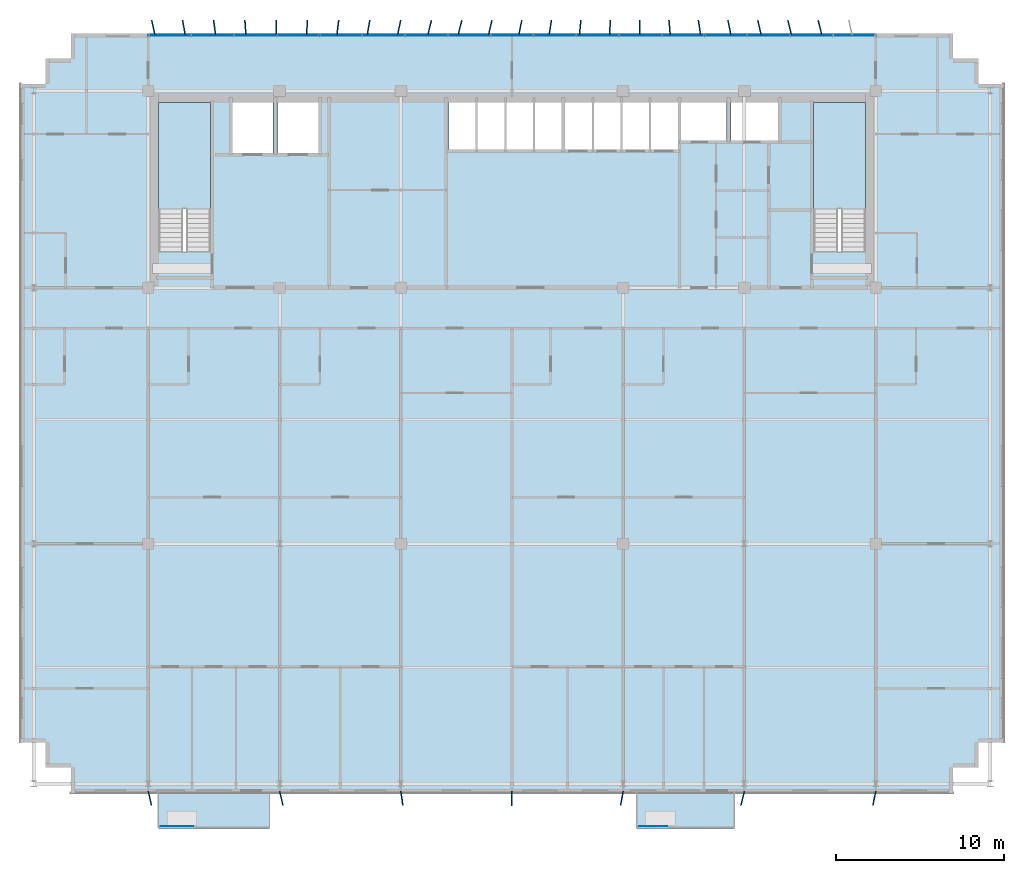
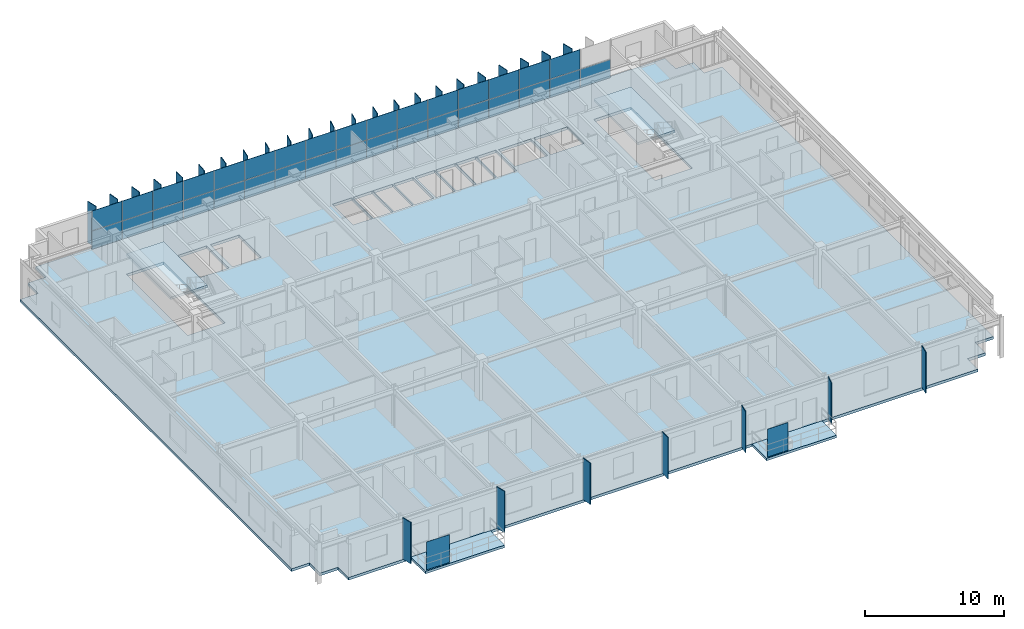
# One storey, part 15 of 23: 65 plates, 5 slabs, 3 elements without a shape of their own.
"""IFC4 building model written with IfcOpenShell, lengths in metres."""

from ifc_helpers import new_model, si_unit, direction, frame, origin, origin_2d, place, context, subcontext, project, spatial, polyline, rectangle, outline, extrude, source, transform, mapped, material, layer, layer_set, type_object, element, aggregate, save


model = new_model("IFC4")

# Units and contexts
model_context = context("Model", 3, precision=1e-05, world=origin(), true_north=direction((0.0, 1.0)))
body_context = subcontext(model_context, "Body", "Model", "MODEL_VIEW")
ifc_project = project(units=[si_unit("LENGTHUNIT", "METRE"), si_unit("AREAUNIT", "SQUARE_METRE"), si_unit("VOLUMEUNIT", "CUBIC_METRE"), si_unit("PLANEANGLEUNIT", "RADIAN"), si_unit("MASSUNIT", "GRAM", prefix="KILO")], contexts=[model_context])

# Site, building, storey
site_placement = place(None, origin())
site = spatial("IfcSite", under=ifc_project, at=site_placement, CompositionType="ELEMENT")
building_placement = place(site_placement, origin())
building = spatial("IfcBuilding", under=site, at=building_placement, Name="Trelvane Seafront Commons", CompositionType="ELEMENT")
storey_placement = place(building_placement, frame((0.0, 0.0, 219.300048828125)))
storey = spatial("IfcBuildingStorey", under=building, at=storey_placement, Name="L57", CompositionType="ELEMENT", Elevation=219.300048828125)

# Slabs
ifc_material_1 = material(Name="Concrete C40/50", Category="concrete")
ifc_layer_1 = layer(ifc_material_1, 0.219970703125, Name="ARCH-BALC-220")
ifc_layer_set_1 = layer_set([ifc_layer_1], Name="Concrete C40/50")
slab_type_1 = type_object("IfcSlabType", Name="ARCH-BALC-220", PredefinedType="FLOOR", material=ifc_layer_set_1)
slab_1_placement = place(storey_placement, frame((0.0, 0.0, -0.219970703125)))
element("IfcSlab", 1, at=slab_1_placement, inside=storey, type_object=slab_type_1, Name="L57 Cantilevered Tree Balcony Loggia 1", PredefinedType="FLOOR", context=body_context, shape_type="SweptSolid", body=[
    extrude(outline(polyline([(16.199951171875, 1.300048828125), (22.800048828125, 1.300048828125), (22.800048828125, 3.39990234375), (16.199951171875, 3.39990234375), (16.199951171875, 1.300048828125)])), origin(), (0.0, 0.0, 1.0), 0.219970703125),
])
slab_2_placement = place(storey_placement, frame((0.0, 0.0, -0.219970703125)))
element("IfcSlab", 2, at=slab_2_placement, inside=storey, type_object=slab_type_1, Name="L57 Cantilevered Tree Balcony Loggia 2", PredefinedType="FLOOR", context=body_context, shape_type="SweptSolid", body=[
    extrude(outline(polyline([(44.60009765625, 1.300048828125), (50.39990234375, 1.300048828125), (50.39990234375, 3.39990234375), (44.60009765625, 3.39990234375), (44.60009765625, 1.300048828125)])), origin(), (0.0, 0.0, 1.0), 0.219970703125),
])

# Stair, slab
stair_type_1 = type_object("IfcStairType", Name="ARCH-STR-ST-1-R20-180", PredefinedType="HALF_TURN_STAIR", material=ifc_material_1)
stair_1_placement = place(storey_placement, origin())
stair_1 = element("IfcStair", 3, at=stair_1_placement, inside=storey, type_object=stair_type_1, Name="L57 West Protected Firefighting Exit Stair ST-1", PredefinedType="HALF_TURN_STAIR")
ifc_layer_2 = layer(ifc_material_1, 0.199951171875, Name="ARCH-LND-200")
ifc_layer_set_2 = layer_set([ifc_layer_2], Name="Concrete C40/50")
slab_type_2 = type_object("IfcSlabType", Name="ARCH-LND-200", PredefinedType="LANDING", material=ifc_layer_set_2)
slab_3_placement = place(storey_placement, frame((0.0, 0.0, 1.599853515625)))
slab_3 = element("IfcSlab", 4, at=slab_3_placement, type_object=slab_type_2, Name="ST-1 landing 1", PredefinedType="LANDING", context=body_context, shape_type="SweptSolid", body=[
    extrude(outline(polyline([(19.300048828125, 38.070068359375), (19.300048828125, 44.39990234375), (16.199951171875, 44.39990234375), (16.199951171875, 38.070068359375), (19.300048828125, 38.070068359375)])), origin(), (0.0, 0.0, 1.0), 0.2001953125),
])
aggregate(stair_1, [slab_3])

stair_type_2 = type_object("IfcStairType", Name="ARCH-STR-ST-2-R20-180", PredefinedType="HALF_TURN_STAIR", material=ifc_material_1)
stair_2_placement = place(storey_placement, origin())
stair_2 = element("IfcStair", 5, at=stair_2_placement, inside=storey, type_object=stair_type_2, Name="L57 East Protected Firefighting Exit Stair ST-2", PredefinedType="HALF_TURN_STAIR")
slab_4_placement = place(storey_placement, frame((0.0, 0.0, 1.599853515625)))
slab_4 = element("IfcSlab", 6, at=slab_4_placement, type_object=slab_type_2, Name="ST-2 landing 1", PredefinedType="LANDING", context=body_context, shape_type="SweptSolid", body=[
    extrude(outline(polyline([(58.199951171875, 38.070068359375), (58.199951171875, 44.39990234375), (55.10009765625, 44.39990234375), (55.10009765625, 38.070068359375), (58.199951171875, 38.070068359375)])), origin(), (0.0, 0.0, 1.0), 0.2001953125),
])
aggregate(stair_2, [slab_4])

# Slab
ifc_material_2 = material(Name="Concrete C50/60", Category="concrete")
ifc_layer_3 = layer(ifc_material_2, 0.239990234375, Name="STR-SLB-Z4-240")
ifc_layer_set_3 = layer_set([ifc_layer_3], Name="Concrete C50/60")
slab_type_3 = type_object("IfcSlabType", Name="STR-SLB-Z4-240", PredefinedType="FLOOR", material=ifc_layer_set_3)
slab_5_placement = place(storey_placement, frame((0.0, 0.0, -0.239990234375)))
element("IfcSlab", 7, at=slab_5_placement, inside=storey, type_object=slab_type_3, Name="L57 Structural Floor Slab", PredefinedType="FLOOR", context=body_context, shape_type="SweptSolid", body=[
    extrude(outline(polyline([(11.0, 3.39990234375), (63.39990234375, 3.39990234375), (63.39990234375, 4.89990234375), (64.89990234375, 4.89990234375), (64.89990234375, 6.39990234375), (66.39990234375, 6.39990234375), (66.39990234375, 45.5), (64.89990234375, 45.5), (64.89990234375, 47.0), (63.39990234375, 47.0), (63.39990234375, 48.5), (11.0, 48.5), (11.0, 47.0), (9.5, 47.0), (9.5, 45.5), (8.0, 45.5), (8.0, 6.39990234375), (9.5, 6.39990234375), (9.5, 4.89990234375), (11.0, 4.89990234375), (11.0, 3.39990234375)]), holes=[polyline([(19.300048828125, 35.550048828125), (16.199951171875, 35.550048828125), (16.199951171875, 44.39990234375), (19.300048828125, 44.39990234375), (19.300048828125, 35.550048828125)]), polyline([(20.60009765625, 41.39990234375), (20.60009765625, 44.60009765625), (23.0, 44.60009765625), (23.0, 41.39990234375), (20.60009765625, 41.39990234375)]), polyline([(23.300048828125, 41.39990234375), (23.300048828125, 44.60009765625), (25.699951171875, 44.60009765625), (25.699951171875, 41.39990234375), (23.300048828125, 41.39990234375)]), polyline([(33.449951171875, 41.60009765625), (33.449951171875, 44.60009765625), (35.070068359375, 44.60009765625), (35.070068359375, 41.60009765625), (33.449951171875, 41.60009765625)]), polyline([(35.14990234375, 41.60009765625), (35.14990234375, 44.60009765625), (36.77001953125, 44.60009765625), (36.77001953125, 41.60009765625), (35.14990234375, 41.60009765625)]), polyline([(36.85009765625, 41.60009765625), (36.85009765625, 44.60009765625), (38.469970703125, 44.60009765625), (38.469970703125, 41.60009765625), (36.85009765625, 41.60009765625)]), polyline([(38.550048828125, 41.60009765625), (38.550048828125, 44.60009765625), (40.169921875, 44.60009765625), (40.169921875, 41.60009765625), (38.550048828125, 41.60009765625)]), polyline([(58.199951171875, 35.550048828125), (55.10009765625, 35.550048828125), (55.10009765625, 44.39990234375), (58.199951171875, 44.39990234375), (58.199951171875, 35.550048828125)]), polyline([(40.35009765625, 41.60009765625), (40.35009765625, 44.60009765625), (41.969970703125, 44.60009765625), (41.969970703125, 41.60009765625), (40.35009765625, 41.60009765625)]), polyline([(42.050048828125, 41.60009765625), (42.050048828125, 44.60009765625), (43.669921875, 44.60009765625), (43.669921875, 41.60009765625), (42.050048828125, 41.60009765625)]), polyline([(43.75, 41.60009765625), (43.75, 44.60009765625), (45.3701171875, 44.60009765625), (45.3701171875, 41.60009765625), (43.75, 41.60009765625)]), polyline([(45.449951171875, 41.60009765625), (45.449951171875, 44.60009765625), (47.070068359375, 44.60009765625), (47.070068359375, 41.60009765625), (45.449951171875, 41.60009765625)]), polyline([(47.25, 42.14990234375), (47.25, 44.550048828125), (49.949951171875, 44.550048828125), (49.949951171875, 42.14990234375), (47.25, 42.14990234375)]), polyline([(50.199951171875, 42.14990234375), (50.199951171875, 44.550048828125), (53.0, 44.550048828125), (53.0, 42.14990234375), (50.199951171875, 42.14990234375)])]), origin(), (0.0, 0.0, 1.0), 0.239990234375),
])

# Plates
ifc_material_3 = material(Name="Perforated anodised aluminium screen", Category="aluminium")
ifc_layer_4 = layer(ifc_material_3, 0.01611328125, Name="ARCH-PLATE-SCREEN")
ifc_layer_set_4 = layer_set([ifc_layer_4], Name="Perforated anodised aluminium screen")
plate_type_1 = type_object("IfcPlateType", Name="ARCH-PLATE-SCREEN", PredefinedType="USERDEFINED", material=ifc_layer_set_4)
shared_shape_1 = source(origin(), body_context, "Body", "SweptSolid", [
    extrude(rectangle(XDim=1.9140625, YDim=0.01611328125, at=origin_2d()), origin(), (0.0, 0.0, 1.0), 2.449951171875),
])
plate_1_placement = place(storey_placement, frame((17.306884765625, 1.419921875, 0.0), z_axis=(0.0, 0.0, 1.0), x_axis=(1.0, 0.0, 0.0)))
element("IfcPlate", 8, at=plate_1_placement, inside=storey, type_object=plate_type_1, Name="SCR-L57-00200", ObjectType="SCREEN", PredefinedType="USERDEFINED", context=body_context, shape_type="MappedRepresentation", body=[
    mapped(shared_shape_1, transform((0.0, 0.0, 0.0), x_axis=(1.0, 0.0, 0.0), y_axis=(0.0, 1.0, 0.0), z_axis=(0.0, 0.0, 1.0), scale=1.0)),
])
shared_shape_2 = source(origin(), body_context, "Body", "SweptSolid", [
    extrude(rectangle(XDim=1.681884765625, YDim=0.01611328125, at=origin_2d()), origin(), (0.0, 0.0, 1.0), 2.449951171875),
])
plate_2_placement = place(storey_placement, frame((45.591064453125, 1.419921875, 0.0), z_axis=(0.0, 0.0, 1.0), x_axis=(1.0, 0.0, 0.0)))
element("IfcPlate", 9, at=plate_2_placement, inside=storey, type_object=plate_type_1, Name="SCR-L57-00201", ObjectType="SCREEN", PredefinedType="USERDEFINED", context=body_context, shape_type="MappedRepresentation", body=[
    mapped(shared_shape_2, transform((0.0, 0.0, 0.0), x_axis=(1.0, 0.0, 0.0), y_axis=(0.0, 1.0, 0.0), z_axis=(0.0, 0.0, 1.0), scale=1.0)),
])
ifc_material_4 = material(Name="Anodised pale-silver aluminium", Category="aluminium")
ifc_layer_5 = layer(ifc_material_4, 0.06005859375, Name="ARCH-PLATE-FIN900")
ifc_layer_set_5 = layer_set([ifc_layer_5], Name="Anodised pale-silver aluminium")
plate_type_2 = type_object("IfcPlateType", Name="ARCH-PLATE-FIN900", PredefinedType="USERDEFINED", material=ifc_layer_set_5)
shared_shape_3 = source(origin(), body_context, "Body", "SweptSolid", [
    extrude(rectangle(XDim=0.89990234375, YDim=0.06005859375, at=origin_2d()), origin(), (0.0, 0.0, 1.0), 3.639892578125),
])
for number, where, z_axis, x_axis, name in (
    (10, (15.901611328125, 48.839111328125, -0.02001953125), (0.0, 0.0, 1.0), (-0.218776821513, 0.975774924032, 0.0), "FIN-L57-01573"),
    (11, (17.717529296875, 48.84228515625, -0.02001953125), (0.0, 0.0, 1.0), (-0.183000852388, 0.983112754482, 0.0), "FIN-L57-01574"),
    (12, (19.539794921875, 48.845947265625, -0.02001953125), (0.0, 0.0, 1.0), (-0.133560693458, 0.991040635475, 0.0), "FIN-L57-01575"),
    (13, (23.1962890625, 48.85009765625, -0.02001953125), (0.0, 0.0, 1.0), (-0.008222153462, 0.999966197525, 0.0), "FIN-L57-01577"),
    (14, (25.02587890625, 48.84912109375, -0.02001953125), (0.0, 0.0, 1.0), (0.057888116863, 0.998323076928, 0.0), "FIN-L57-01578"),
    (15, (26.853759765625, 48.8466796875, -0.02001953125), (0.0, 0.0, 1.0), (0.11956156614, 0.992826788469, 0.0), "FIN-L57-01579"),
    (16, (28.677490234375, 48.84326171875, -0.02001953125), (0.0, 0.0, 1.0), (0.171997873465, 0.985097320839, 0.0), "FIN-L57-01580"),
    (17, (30.4951171875, 48.83984375, -0.02001953125), (0.0, 0.0, 1.0), (0.21143397354, 0.977392282982, 0.0), "FIN-L57-01581"),
    (18, (34.10888671875, 48.836669921875, -0.02001953125), (0.0, 0.0, 1.0), (0.241777946669, 0.970331605434, 0.0), "FIN-L57-01583"),
    (19, (35.90380859375, 48.837890625, -0.02001953125), (0.0, 0.0, 1.0), (0.230780034881, 0.973005948337, 0.0), "FIN-L57-01584"),
    (20, (37.691162109375, 48.840576171875, -0.02001953125), (0.0, 0.0, 1.0), (0.202778750018, 0.979224580237, 0.0), "FIN-L57-01585"),
    (21, (39.471923828125, 48.84423828125, -0.02001953125), (0.0, 0.0, 1.0), (0.159784705772, 0.987151886896, 0.0), "FIN-L57-01586"),
    (22, (41.2470703125, 48.847412109375, -0.02001953125), (0.0, 0.0, 1.0), (0.104662116471, 0.99450783877, 0.0), "FIN-L57-01587"),
    (23, (43.0185546875, 48.849609375, -0.02001953125), (0.0, 0.0, 1.0), (0.041335070153, 0.999145340767, 0.0), "FIN-L57-01588"),
    (24, (44.788818359375, 48.849853515625, -0.02001953125), (0.0, 0.0, 1.0), (-0.02511090288, 0.999684671562, 0.0), "FIN-L57-01589"),
    (25, (46.559814453125, 48.84814453125, -0.02001953125), (0.0, 0.0, 1.0), (-0.089664390105, 0.995972036328, 0.0), "FIN-L57-01590"),
    (26, (48.333740234375, 48.84521484375, -0.02001953125), (0.0, 0.0, 1.0), (-0.147220765, 0.989103658042, 0.0), "FIN-L57-01591"),
    (27, (50.11279296875, 48.841552734375, -0.02001953125), (0.0, 0.0, 1.0), (-0.193551180377, 0.981090179634, 0.0), "FIN-L57-01592"),
    (28, (51.898681640625, 48.83837890625, -0.02001953125), (0.0, 0.0, 1.0), (-0.225452700495, 0.974254114613, 0.0), "FIN-L57-01593"),
    (29, (53.691650390625, 48.836669921875, -0.02001953125), (0.0, 0.0, 1.0), (-0.240678679058, 0.970604849281, 0.0), "FIN-L57-01594"),
    (30, (55.49267578125, 48.8369140625, -0.02001953125), (0.0, 0.0, 1.0), (-0.238455489153, 0.971153427473, 0.0), "FIN-L57-01595"),
):
    element("IfcPlate", number, at=place(storey_placement, frame(where, z_axis=z_axis, x_axis=x_axis)), inside=storey, type_object=plate_type_2, Name=name, ObjectType="FIN", PredefinedType="USERDEFINED", context=body_context, shape_type="MappedRepresentation", body=[
        mapped(shared_shape_3, transform((0.0, 0.0, 0.0), x_axis=(1.0, 0.0, 0.0), y_axis=(0.0, 1.0, 0.0), z_axis=(0.0, 0.0, 1.0), scale=1.0)),
    ])
shared_shape_4 = source(origin(), body_context, "Body", "SweptSolid", [
    extrude(rectangle(XDim=0.900146484375, YDim=0.06005859375, at=origin_2d()), origin(), (0.0, 0.0, 1.0), 3.639892578125),
])
for number, where, z_axis, x_axis, name in (
    (31, (21.36669921875, 48.848876953125, -0.02001953125), (0.0, 0.0, 1.0), (-0.073774304296, 0.9972749631, 0.0), "FIN-L57-01576"),
    (32, (32.305908203125, 48.83740234375, -0.02001953125), (0.0, 0.0, 1.0), (0.235208271844, 0.971944992711, 0.0), "FIN-L57-01582"),
):
    element("IfcPlate", number, at=place(storey_placement, frame(where, z_axis=z_axis, x_axis=x_axis)), inside=storey, type_object=plate_type_2, Name=name, ObjectType="FIN", PredefinedType="USERDEFINED", context=body_context, shape_type="MappedRepresentation", body=[
        mapped(shared_shape_4, transform((0.0, 0.0, 0.0), x_axis=(1.0, 0.0, 0.0), y_axis=(0.0, 1.0, 0.0), z_axis=(0.0, 0.0, 1.0), scale=1.0)),
    ])
shared_shape_5 = source(origin(), body_context, "Body", "SweptSolid", [
    extrude(rectangle(XDim=0.85009765625, YDim=0.06005859375, at=origin_2d()), origin(), (0.0, 0.0, 1.0), 3.639892578125),
])
for number, where, z_axis, x_axis, name in (
    (33, (15.693603515625, 3.08544921875, -0.02001953125), (0.0, 0.0, 1.0), (0.220578272831, -0.975369276508, 0.0), "FIN-S-L57-01597"),
    (34, (23.4990234375, 3.086669921875, -0.02001953125), (0.0, 0.0, 1.0), (0.233056708023, -0.972463146266, 0.0), "FIN-S-L57-01598"),
    (35, (30.658203125, 3.0791015625, -0.02001953125), (0.0, 0.0, 1.0), (0.136939728789, -0.990579381311, 0.0), "FIN-S-L57-01599"),
    (36, (37.189453125, 3.0751953125, -0.02001953125), (0.0, 0.0, 1.0), (-0.02506030426, -0.999685941259, 0.0), "FIN-S-L57-01600"),
    (37, (43.7255859375, 3.08154296875, -0.02001953125), (0.0, 0.0, 1.0), (-0.174825440724, -0.984599444076, 0.0), "FIN-S-L57-01601"),
    (38, (50.8974609375, 3.087646484375, -0.02001953125), (0.0, 0.0, 1.0), (-0.241400267132, -0.970425633951, 0.0), "FIN-S-L57-01602"),
    (39, (58.716796875, 3.083251953125, -0.02001953125), (0.0, 0.0, 1.0), (-0.195889664568, -0.980625942608, 0.0), "FIN-S-L57-01603"),
):
    element("IfcPlate", number, at=place(storey_placement, frame(where, z_axis=z_axis, x_axis=x_axis)), inside=storey, type_object=plate_type_2, Name=name, ObjectType="FIN", PredefinedType="USERDEFINED", context=body_context, shape_type="MappedRepresentation", body=[
        mapped(shared_shape_5, transform((0.0, 0.0, 0.0), x_axis=(1.0, 0.0, 0.0), y_axis=(0.0, 1.0, 0.0), z_axis=(0.0, 0.0, 1.0), scale=1.0)),
    ])

# Curtain wall, plates
curtain_wall_type = type_object("IfcCurtainWallType", Name="ARCH-CW5-UPTOWER", PredefinedType="NOTDEFINED", material=ifc_material_4)
curtain_wall_placement = place(storey_placement, origin())
curtain_wall = element("IfcCurtainWall", 40, at=curtain_wall_placement, inside=storey, type_object=curtain_wall_type, Name="CW-L57-0100", PredefinedType="NOTDEFINED")
ifc_material_5 = material(Name="Low-E coastal double glazing", Category="glass")
ifc_layer_6 = layer(ifc_material_5, 0.033935546875, Name="ARCH-CW-GLAZ-34")
ifc_layer_set_6 = layer_set([ifc_layer_6], Name="Low-E coastal double glazing")
plate_type_3 = type_object("IfcPlateType", Name="ARCH-CW-GLAZ-34", PredefinedType="CURTAIN_PANEL", material=ifc_layer_set_6)
shared_shape_6 = source(origin(), body_context, "Body", "SweptSolid", [
    extrude(rectangle(XDim=2.51708984375, YDim=0.033935546875, at=origin_2d()), origin(), (0.0, 0.0, 1.0), 1.594970703125),
])
plate_3_placement = place(storey_placement, frame((16.87060546875, 48.3701171875, 0.0), z_axis=(0.0, 0.0, 1.0), x_axis=(1.0, 0.0, 0.0)))
plate_3 = element("IfcPlate", 41, at=plate_3_placement, type_object=plate_type_3, Name="CW-L57-0100-P00-1", PredefinedType="CURTAIN_PANEL", context=body_context, shape_type="MappedRepresentation", body=[
    mapped(shared_shape_6, transform((0.0, 0.0, 0.0), x_axis=(1.0, 0.0, 0.0), y_axis=(0.0, 1.0, 0.0), z_axis=(0.0, 0.0, 1.0), scale=1.0)),
])
plate_4_placement = place(storey_placement, frame((19.411865234375, 48.3701171875, 0.0), z_axis=(0.0, 0.0, 1.0), x_axis=(1.0, 0.0, 0.0)))
plate_4 = element("IfcPlate", 42, at=plate_4_placement, type_object=plate_type_3, Name="CW-L57-0100-P01-1", PredefinedType="CURTAIN_PANEL", context=body_context, shape_type="MappedRepresentation", body=[
    mapped(shared_shape_6, transform((0.0, 0.0, 0.0), x_axis=(1.0, 0.0, 0.0), y_axis=(0.0, 1.0, 0.0), z_axis=(0.0, 0.0, 1.0), scale=1.0)),
])
plate_5_placement = place(storey_placement, frame((21.952880859375, 48.3701171875, 0.0), z_axis=(0.0, 0.0, 1.0), x_axis=(1.0, 0.0, 0.0)))
plate_5 = element("IfcPlate", 43, at=plate_5_placement, type_object=plate_type_3, Name="CW-L57-0100-P02-1", PredefinedType="CURTAIN_PANEL", context=body_context, shape_type="MappedRepresentation", body=[
    mapped(shared_shape_6, transform((0.0, 0.0, 0.0), x_axis=(1.0, 0.0, 0.0), y_axis=(0.0, 1.0, 0.0), z_axis=(0.0, 0.0, 1.0), scale=1.0)),
])
plate_6_placement = place(storey_placement, frame((24.494140625, 48.3701171875, 0.0), z_axis=(0.0, 0.0, 1.0), x_axis=(1.0, 0.0, 0.0)))
plate_6 = element("IfcPlate", 44, at=plate_6_placement, type_object=plate_type_3, Name="CW-L57-0100-P03-1", PredefinedType="CURTAIN_PANEL", context=body_context, shape_type="MappedRepresentation", body=[
    mapped(shared_shape_6, transform((0.0, 0.0, 0.0), x_axis=(1.0, 0.0, 0.0), y_axis=(0.0, 1.0, 0.0), z_axis=(0.0, 0.0, 1.0), scale=1.0)),
])
plate_7_placement = place(storey_placement, frame((27.035400390625, 48.3701171875, 0.0), z_axis=(0.0, 0.0, 1.0), x_axis=(1.0, 0.0, 0.0)))
plate_7 = element("IfcPlate", 45, at=plate_7_placement, type_object=plate_type_3, Name="CW-L57-0100-P04-1", PredefinedType="CURTAIN_PANEL", context=body_context, shape_type="MappedRepresentation", body=[
    mapped(shared_shape_6, transform((0.0, 0.0, 0.0), x_axis=(1.0, 0.0, 0.0), y_axis=(0.0, 1.0, 0.0), z_axis=(0.0, 0.0, 1.0), scale=1.0)),
])
plate_8_placement = place(storey_placement, frame((29.576416015625, 48.3701171875, 0.0), z_axis=(0.0, 0.0, 1.0), x_axis=(1.0, 0.0, 0.0)))
plate_8 = element("IfcPlate", 46, at=plate_8_placement, type_object=plate_type_3, Name="CW-L57-0100-P05-1", PredefinedType="CURTAIN_PANEL", context=body_context, shape_type="MappedRepresentation", body=[
    mapped(shared_shape_6, transform((0.0, 0.0, 0.0), x_axis=(1.0, 0.0, 0.0), y_axis=(0.0, 1.0, 0.0), z_axis=(0.0, 0.0, 1.0), scale=1.0)),
])
plate_9_placement = place(storey_placement, frame((32.11767578125, 48.3701171875, 0.0), z_axis=(0.0, 0.0, 1.0), x_axis=(1.0, 0.0, 0.0)))
plate_9 = element("IfcPlate", 47, at=plate_9_placement, type_object=plate_type_3, Name="CW-L57-0100-P06-1", PredefinedType="CURTAIN_PANEL", context=body_context, shape_type="MappedRepresentation", body=[
    mapped(shared_shape_6, transform((0.0, 0.0, 0.0), x_axis=(1.0, 0.0, 0.0), y_axis=(0.0, 1.0, 0.0), z_axis=(0.0, 0.0, 1.0), scale=1.0)),
])
plate_10_placement = place(storey_placement, frame((34.65869140625, 48.3701171875, 0.0), z_axis=(0.0, 0.0, 1.0), x_axis=(1.0, 0.0, 0.0)))
plate_10 = element("IfcPlate", 48, at=plate_10_placement, type_object=plate_type_3, Name="CW-L57-0100-P07-1", PredefinedType="CURTAIN_PANEL", context=body_context, shape_type="MappedRepresentation", body=[
    mapped(shared_shape_6, transform((0.0, 0.0, 0.0), x_axis=(1.0, 0.0, 0.0), y_axis=(0.0, 1.0, 0.0), z_axis=(0.0, 0.0, 1.0), scale=1.0)),
])
plate_11_placement = place(storey_placement, frame((37.199951171875, 48.3701171875, 0.0), z_axis=(0.0, 0.0, 1.0), x_axis=(1.0, 0.0, 0.0)))
plate_11 = element("IfcPlate", 49, at=plate_11_placement, type_object=plate_type_3, Name="CW-L57-0100-P08-1", PredefinedType="CURTAIN_PANEL", context=body_context, shape_type="MappedRepresentation", body=[
    mapped(shared_shape_6, transform((0.0, 0.0, 0.0), x_axis=(1.0, 0.0, 0.0), y_axis=(0.0, 1.0, 0.0), z_axis=(0.0, 0.0, 1.0), scale=1.0)),
])
plate_12_placement = place(storey_placement, frame((39.7412109375, 48.3701171875, 0.0), z_axis=(0.0, 0.0, 1.0), x_axis=(1.0, 0.0, 0.0)))
plate_12 = element("IfcPlate", 50, at=plate_12_placement, type_object=plate_type_3, Name="CW-L57-0100-P09-1", PredefinedType="CURTAIN_PANEL", context=body_context, shape_type="MappedRepresentation", body=[
    mapped(shared_shape_6, transform((0.0, 0.0, 0.0), x_axis=(1.0, 0.0, 0.0), y_axis=(0.0, 1.0, 0.0), z_axis=(0.0, 0.0, 1.0), scale=1.0)),
])
plate_13_placement = place(storey_placement, frame((42.282470703125, 48.3701171875, 0.0), z_axis=(0.0, 0.0, 1.0), x_axis=(1.0, 0.0, 0.0)))
plate_13 = element("IfcPlate", 51, at=plate_13_placement, type_object=plate_type_3, Name="CW-L57-0100-P10-1", PredefinedType="CURTAIN_PANEL", context=body_context, shape_type="MappedRepresentation", body=[
    mapped(shared_shape_6, transform((0.0, 0.0, 0.0), x_axis=(1.0, 0.0, 0.0), y_axis=(0.0, 1.0, 0.0), z_axis=(0.0, 0.0, 1.0), scale=1.0)),
])
plate_14_placement = place(storey_placement, frame((44.823486328125, 48.3701171875, 0.0), z_axis=(0.0, 0.0, 1.0), x_axis=(1.0, 0.0, 0.0)))
plate_14 = element("IfcPlate", 52, at=plate_14_placement, type_object=plate_type_3, Name="CW-L57-0100-P11-1", PredefinedType="CURTAIN_PANEL", context=body_context, shape_type="MappedRepresentation", body=[
    mapped(shared_shape_6, transform((0.0, 0.0, 0.0), x_axis=(1.0, 0.0, 0.0), y_axis=(0.0, 1.0, 0.0), z_axis=(0.0, 0.0, 1.0), scale=1.0)),
])
plate_15_placement = place(storey_placement, frame((47.36474609375, 48.3701171875, 0.0), z_axis=(0.0, 0.0, 1.0), x_axis=(1.0, 0.0, 0.0)))
plate_15 = element("IfcPlate", 53, at=plate_15_placement, type_object=plate_type_3, Name="CW-L57-0100-P12-1", PredefinedType="CURTAIN_PANEL", context=body_context, shape_type="MappedRepresentation", body=[
    mapped(shared_shape_6, transform((0.0, 0.0, 0.0), x_axis=(1.0, 0.0, 0.0), y_axis=(0.0, 1.0, 0.0), z_axis=(0.0, 0.0, 1.0), scale=1.0)),
])
plate_16_placement = place(storey_placement, frame((49.906005859375, 48.3701171875, 0.0), z_axis=(0.0, 0.0, 1.0), x_axis=(1.0, 0.0, 0.0)))
plate_16 = element("IfcPlate", 54, at=plate_16_placement, type_object=plate_type_3, Name="CW-L57-0100-P13-1", PredefinedType="CURTAIN_PANEL", context=body_context, shape_type="MappedRepresentation", body=[
    mapped(shared_shape_6, transform((0.0, 0.0, 0.0), x_axis=(1.0, 0.0, 0.0), y_axis=(0.0, 1.0, 0.0), z_axis=(0.0, 0.0, 1.0), scale=1.0)),
])
plate_17_placement = place(storey_placement, frame((52.447021484375, 48.3701171875, 0.0), z_axis=(0.0, 0.0, 1.0), x_axis=(1.0, 0.0, 0.0)))
plate_17 = element("IfcPlate", 55, at=plate_17_placement, type_object=plate_type_3, Name="CW-L57-0100-P14-1", PredefinedType="CURTAIN_PANEL", context=body_context, shape_type="MappedRepresentation", body=[
    mapped(shared_shape_6, transform((0.0, 0.0, 0.0), x_axis=(1.0, 0.0, 0.0), y_axis=(0.0, 1.0, 0.0), z_axis=(0.0, 0.0, 1.0), scale=1.0)),
])
plate_18_placement = place(storey_placement, frame((54.98828125, 48.3701171875, 0.0), z_axis=(0.0, 0.0, 1.0), x_axis=(1.0, 0.0, 0.0)))
plate_18 = element("IfcPlate", 56, at=plate_18_placement, type_object=plate_type_3, Name="CW-L57-0100-P15-1", PredefinedType="CURTAIN_PANEL", context=body_context, shape_type="MappedRepresentation", body=[
    mapped(shared_shape_6, transform((0.0, 0.0, 0.0), x_axis=(1.0, 0.0, 0.0), y_axis=(0.0, 1.0, 0.0), z_axis=(0.0, 0.0, 1.0), scale=1.0)),
])
plate_19_placement = place(storey_placement, frame((57.529296875, 48.3701171875, 0.0), z_axis=(0.0, 0.0, 1.0), x_axis=(1.0, 0.0, 0.0)))
plate_19 = element("IfcPlate", 57, at=plate_19_placement, type_object=plate_type_3, Name="CW-L57-0100-P16-1", PredefinedType="CURTAIN_PANEL", context=body_context, shape_type="MappedRepresentation", body=[
    mapped(shared_shape_6, transform((0.0, 0.0, 0.0), x_axis=(1.0, 0.0, 0.0), y_axis=(0.0, 1.0, 0.0), z_axis=(0.0, 0.0, 1.0), scale=1.0)),
])
shared_shape_7 = source(origin(), body_context, "Body", "SweptSolid", [
    extrude(rectangle(XDim=2.51708984375, YDim=0.033935546875, at=origin_2d()), origin(), (0.0, 0.0, 1.0), 1.72900390625),
])
plate_20_placement = place(storey_placement, frame((16.87060546875, 48.3701171875, 1.630859375), z_axis=(0.0, 0.0, 1.0), x_axis=(1.0, 0.0, 0.0)))
plate_20 = element("IfcPlate", 58, at=plate_20_placement, type_object=plate_type_3, Name="CW-L57-0100-P00-2", PredefinedType="CURTAIN_PANEL", context=body_context, shape_type="MappedRepresentation", body=[
    mapped(shared_shape_7, transform((0.0, 0.0, 0.0), x_axis=(1.0, 0.0, 0.0), y_axis=(0.0, 1.0, 0.0), z_axis=(0.0, 0.0, 1.0), scale=1.0)),
])
plate_21_placement = place(storey_placement, frame((19.411865234375, 48.3701171875, 1.630859375), z_axis=(0.0, 0.0, 1.0), x_axis=(1.0, 0.0, 0.0)))
plate_21 = element("IfcPlate", 59, at=plate_21_placement, type_object=plate_type_3, Name="CW-L57-0100-P01-2", PredefinedType="CURTAIN_PANEL", context=body_context, shape_type="MappedRepresentation", body=[
    mapped(shared_shape_7, transform((0.0, 0.0, 0.0), x_axis=(1.0, 0.0, 0.0), y_axis=(0.0, 1.0, 0.0), z_axis=(0.0, 0.0, 1.0), scale=1.0)),
])
plate_22_placement = place(storey_placement, frame((21.952880859375, 48.3701171875, 1.630859375), z_axis=(0.0, 0.0, 1.0), x_axis=(1.0, 0.0, 0.0)))
plate_22 = element("IfcPlate", 60, at=plate_22_placement, type_object=plate_type_3, Name="CW-L57-0100-P02-2", PredefinedType="CURTAIN_PANEL", context=body_context, shape_type="MappedRepresentation", body=[
    mapped(shared_shape_7, transform((0.0, 0.0, 0.0), x_axis=(1.0, 0.0, 0.0), y_axis=(0.0, 1.0, 0.0), z_axis=(0.0, 0.0, 1.0), scale=1.0)),
])
plate_23_placement = place(storey_placement, frame((24.494140625, 48.3701171875, 1.630859375), z_axis=(0.0, 0.0, 1.0), x_axis=(1.0, 0.0, 0.0)))
plate_23 = element("IfcPlate", 61, at=plate_23_placement, type_object=plate_type_3, Name="CW-L57-0100-P03-2", PredefinedType="CURTAIN_PANEL", context=body_context, shape_type="MappedRepresentation", body=[
    mapped(shared_shape_7, transform((0.0, 0.0, 0.0), x_axis=(1.0, 0.0, 0.0), y_axis=(0.0, 1.0, 0.0), z_axis=(0.0, 0.0, 1.0), scale=1.0)),
])
plate_24_placement = place(storey_placement, frame((27.035400390625, 48.3701171875, 1.630859375), z_axis=(0.0, 0.0, 1.0), x_axis=(1.0, 0.0, 0.0)))
plate_24 = element("IfcPlate", 62, at=plate_24_placement, type_object=plate_type_3, Name="CW-L57-0100-P04-2", PredefinedType="CURTAIN_PANEL", context=body_context, shape_type="MappedRepresentation", body=[
    mapped(shared_shape_7, transform((0.0, 0.0, 0.0), x_axis=(1.0, 0.0, 0.0), y_axis=(0.0, 1.0, 0.0), z_axis=(0.0, 0.0, 1.0), scale=1.0)),
])
plate_25_placement = place(storey_placement, frame((29.576416015625, 48.3701171875, 1.630859375), z_axis=(0.0, 0.0, 1.0), x_axis=(1.0, 0.0, 0.0)))
plate_25 = element("IfcPlate", 63, at=plate_25_placement, type_object=plate_type_3, Name="CW-L57-0100-P05-2", PredefinedType="CURTAIN_PANEL", context=body_context, shape_type="MappedRepresentation", body=[
    mapped(shared_shape_7, transform((0.0, 0.0, 0.0), x_axis=(1.0, 0.0, 0.0), y_axis=(0.0, 1.0, 0.0), z_axis=(0.0, 0.0, 1.0), scale=1.0)),
])
plate_26_placement = place(storey_placement, frame((32.11767578125, 48.3701171875, 1.630859375), z_axis=(0.0, 0.0, 1.0), x_axis=(1.0, 0.0, 0.0)))
plate_26 = element("IfcPlate", 64, at=plate_26_placement, type_object=plate_type_3, Name="CW-L57-0100-P06-2", PredefinedType="CURTAIN_PANEL", context=body_context, shape_type="MappedRepresentation", body=[
    mapped(shared_shape_7, transform((0.0, 0.0, 0.0), x_axis=(1.0, 0.0, 0.0), y_axis=(0.0, 1.0, 0.0), z_axis=(0.0, 0.0, 1.0), scale=1.0)),
])
plate_27_placement = place(storey_placement, frame((34.65869140625, 48.3701171875, 1.630859375), z_axis=(0.0, 0.0, 1.0), x_axis=(1.0, 0.0, 0.0)))
plate_27 = element("IfcPlate", 65, at=plate_27_placement, type_object=plate_type_3, Name="CW-L57-0100-P07-2", PredefinedType="CURTAIN_PANEL", context=body_context, shape_type="MappedRepresentation", body=[
    mapped(shared_shape_7, transform((0.0, 0.0, 0.0), x_axis=(1.0, 0.0, 0.0), y_axis=(0.0, 1.0, 0.0), z_axis=(0.0, 0.0, 1.0), scale=1.0)),
])
plate_28_placement = place(storey_placement, frame((37.199951171875, 48.3701171875, 1.630859375), z_axis=(0.0, 0.0, 1.0), x_axis=(1.0, 0.0, 0.0)))
plate_28 = element("IfcPlate", 66, at=plate_28_placement, type_object=plate_type_3, Name="CW-L57-0100-P08-2", PredefinedType="CURTAIN_PANEL", context=body_context, shape_type="MappedRepresentation", body=[
    mapped(shared_shape_7, transform((0.0, 0.0, 0.0), x_axis=(1.0, 0.0, 0.0), y_axis=(0.0, 1.0, 0.0), z_axis=(0.0, 0.0, 1.0), scale=1.0)),
])
plate_29_placement = place(storey_placement, frame((39.7412109375, 48.3701171875, 1.630859375), z_axis=(0.0, 0.0, 1.0), x_axis=(1.0, 0.0, 0.0)))
plate_29 = element("IfcPlate", 67, at=plate_29_placement, type_object=plate_type_3, Name="CW-L57-0100-P09-2", PredefinedType="CURTAIN_PANEL", context=body_context, shape_type="MappedRepresentation", body=[
    mapped(shared_shape_7, transform((0.0, 0.0, 0.0), x_axis=(1.0, 0.0, 0.0), y_axis=(0.0, 1.0, 0.0), z_axis=(0.0, 0.0, 1.0), scale=1.0)),
])
plate_30_placement = place(storey_placement, frame((42.282470703125, 48.3701171875, 1.630859375), z_axis=(0.0, 0.0, 1.0), x_axis=(1.0, 0.0, 0.0)))
plate_30 = element("IfcPlate", 68, at=plate_30_placement, type_object=plate_type_3, Name="CW-L57-0100-P10-2", PredefinedType="CURTAIN_PANEL", context=body_context, shape_type="MappedRepresentation", body=[
    mapped(shared_shape_7, transform((0.0, 0.0, 0.0), x_axis=(1.0, 0.0, 0.0), y_axis=(0.0, 1.0, 0.0), z_axis=(0.0, 0.0, 1.0), scale=1.0)),
])
plate_31_placement = place(storey_placement, frame((44.823486328125, 48.3701171875, 1.630859375), z_axis=(0.0, 0.0, 1.0), x_axis=(1.0, 0.0, 0.0)))
plate_31 = element("IfcPlate", 69, at=plate_31_placement, type_object=plate_type_3, Name="CW-L57-0100-P11-2", PredefinedType="CURTAIN_PANEL", context=body_context, shape_type="MappedRepresentation", body=[
    mapped(shared_shape_7, transform((0.0, 0.0, 0.0), x_axis=(1.0, 0.0, 0.0), y_axis=(0.0, 1.0, 0.0), z_axis=(0.0, 0.0, 1.0), scale=1.0)),
])
plate_32_placement = place(storey_placement, frame((47.36474609375, 48.3701171875, 1.630859375), z_axis=(0.0, 0.0, 1.0), x_axis=(1.0, 0.0, 0.0)))
plate_32 = element("IfcPlate", 70, at=plate_32_placement, type_object=plate_type_3, Name="CW-L57-0100-P12-2", PredefinedType="CURTAIN_PANEL", context=body_context, shape_type="MappedRepresentation", body=[
    mapped(shared_shape_7, transform((0.0, 0.0, 0.0), x_axis=(1.0, 0.0, 0.0), y_axis=(0.0, 1.0, 0.0), z_axis=(0.0, 0.0, 1.0), scale=1.0)),
])
plate_33_placement = place(storey_placement, frame((49.906005859375, 48.3701171875, 1.630859375), z_axis=(0.0, 0.0, 1.0), x_axis=(1.0, 0.0, 0.0)))
plate_33 = element("IfcPlate", 71, at=plate_33_placement, type_object=plate_type_3, Name="CW-L57-0100-P13-2", PredefinedType="CURTAIN_PANEL", context=body_context, shape_type="MappedRepresentation", body=[
    mapped(shared_shape_7, transform((0.0, 0.0, 0.0), x_axis=(1.0, 0.0, 0.0), y_axis=(0.0, 1.0, 0.0), z_axis=(0.0, 0.0, 1.0), scale=1.0)),
])
plate_34_placement = place(storey_placement, frame((52.447021484375, 48.3701171875, 1.630859375), z_axis=(0.0, 0.0, 1.0), x_axis=(1.0, 0.0, 0.0)))
plate_34 = element("IfcPlate", 72, at=plate_34_placement, type_object=plate_type_3, Name="CW-L57-0100-P14-2", PredefinedType="CURTAIN_PANEL", context=body_context, shape_type="MappedRepresentation", body=[
    mapped(shared_shape_7, transform((0.0, 0.0, 0.0), x_axis=(1.0, 0.0, 0.0), y_axis=(0.0, 1.0, 0.0), z_axis=(0.0, 0.0, 1.0), scale=1.0)),
])
plate_35_placement = place(storey_placement, frame((54.98828125, 48.3701171875, 1.630859375), z_axis=(0.0, 0.0, 1.0), x_axis=(1.0, 0.0, 0.0)))
plate_35 = element("IfcPlate", 73, at=plate_35_placement, type_object=plate_type_3, Name="CW-L57-0100-P15-2", PredefinedType="CURTAIN_PANEL", context=body_context, shape_type="MappedRepresentation", body=[
    mapped(shared_shape_7, transform((0.0, 0.0, 0.0), x_axis=(1.0, 0.0, 0.0), y_axis=(0.0, 1.0, 0.0), z_axis=(0.0, 0.0, 1.0), scale=1.0)),
])
aggregate(curtain_wall, [plate_3, plate_20, plate_4, plate_21, plate_5, plate_22, plate_6, plate_23, plate_7, plate_24, plate_8, plate_25, plate_9, plate_26, plate_10, plate_27, plate_11, plate_28, plate_12, plate_29, plate_13, plate_30, plate_14, plate_31, plate_15, plate_32, plate_16, plate_33, plate_17, plate_34, plate_18, plate_35, plate_19])

save(model, "model.ifc")
